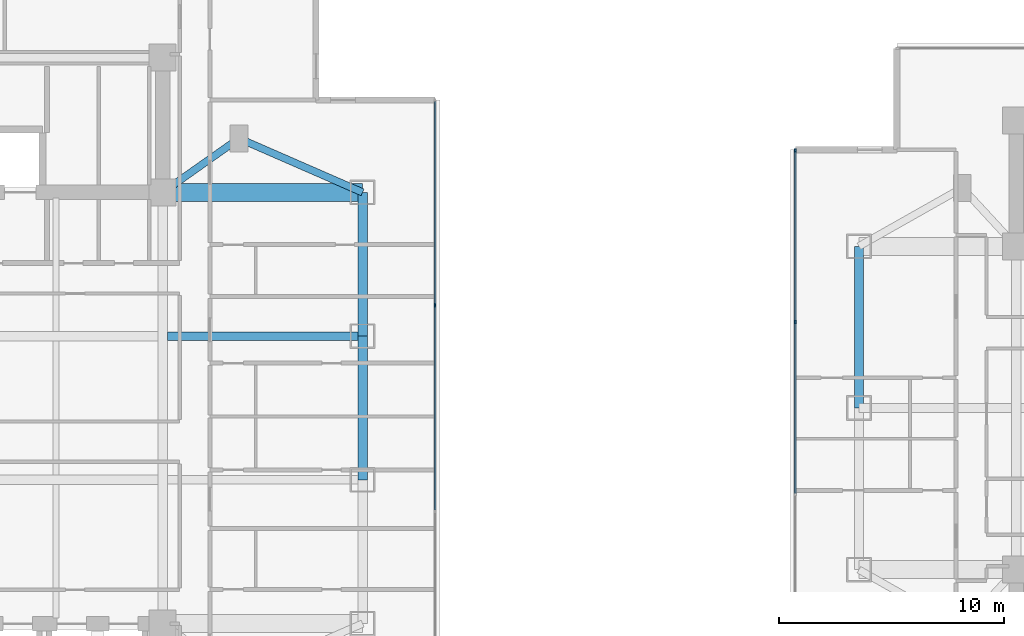
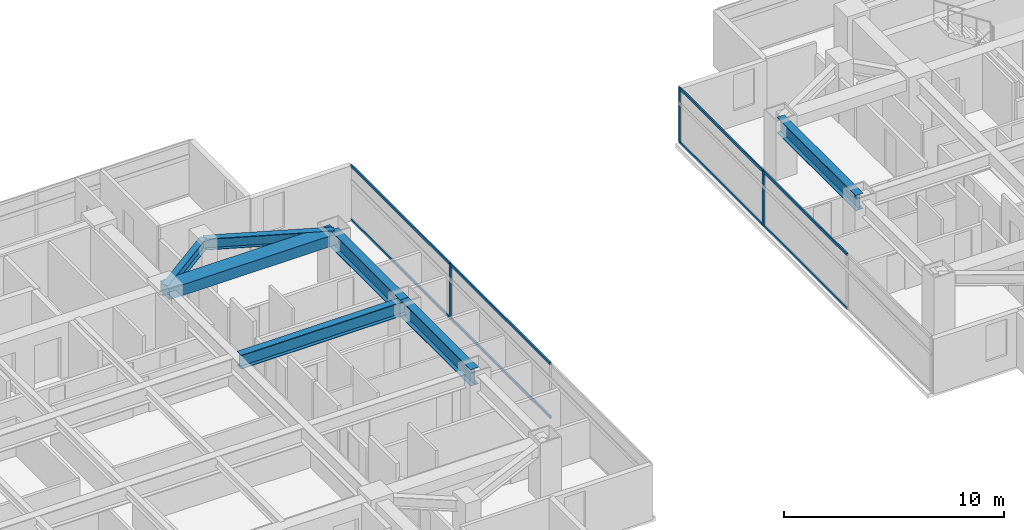
# One storey, part 5 of 25: 11 members, 7 beams, 2 elements without a shape of their own.
"""IFC4 building model written with IfcOpenShell, lengths in metres."""

from ifc_helpers import new_model, si_unit, direction, frame, origin, origin_2d, place, context, subcontext, project, spatial, rectangle, i_section, extrude, material, material_profile, profile_set, type_object, element, aggregate, save


model = new_model("IFC4")

# Units and contexts
model_context = context("Model", 3, precision=1e-05, world=origin(), true_north=direction((0.0, 1.0)))
body_context = subcontext(model_context, "Body", "Model", "MODEL_VIEW")
ifc_project = project(units=[si_unit("LENGTHUNIT", "METRE"), si_unit("AREAUNIT", "SQUARE_METRE"), si_unit("VOLUMEUNIT", "CUBIC_METRE"), si_unit("PLANEANGLEUNIT", "RADIAN"), si_unit("MASSUNIT", "GRAM", prefix="KILO")], contexts=[model_context])

# Site, building, storey
site_placement = place(None, origin())
site = spatial("IfcSite", under=ifc_project, at=site_placement, CompositionType="ELEMENT")
building_placement = place(site_placement, origin())
building = spatial("IfcBuilding", under=site, at=building_placement, Name="Mirazonda Arch Towers", CompositionType="ELEMENT")
storey_placement = place(building_placement, frame((0.0, 0.0, 104.89990234375)))
storey = spatial("IfcBuildingStorey", under=building, at=storey_placement, Name="L29", CompositionType="ELEMENT", Elevation=104.89990234375)

# Beams
ifc_material_1 = material(Name="Steel ASTM A992 Grade 50", Category="steel")
ifc_material_profile_1 = material_profile(ifc_material_1, i_section(OverallWidth=0.39990234375, OverallDepth=0.85595703125, WebThickness=0.018310546875, FlangeThickness=0.029296875, at=origin_2d()), Name="W33X201")
ifc_profile_set_1 = profile_set([ifc_material_profile_1], Name="Steel ASTM A992 Grade 50")
beam_type_1 = type_object("IfcBeamType", Name="BM-EXT-W33X201", PredefinedType="USERDEFINED", material=ifc_profile_set_1)
beam_1_placement = place(storey_placement, frame((61.0, 28.0, 2.652099609375), z_axis=(0.0, 1.0, 0.0), x_axis=(-1.0, 0.0, 0.0)))
element("IfcBeam", 1, at=beam_1_placement, inside=storey, type_object=beam_type_1, Name="L29 Floor Beam BM-T2-L29-NS-W-28", ObjectType="GIRDER", PredefinedType="USERDEFINED", context=body_context, shape_type="SweptSolid", body=[
    extrude(i_section(OverallWidth=0.39990234375, OverallDepth=0.85595703125, WebThickness=0.018310546875, FlangeThickness=0.029296875, at=origin_2d()), origin(), (0.0, 0.0, 1.0), 7.199951171875),
])
ifc_material_profile_2 = material_profile(ifc_material_1, i_section(OverallWidth=0.41796875, OverallDepth=0.927001953125, WebThickness=0.019287109375, FlangeThickness=0.031982421875, at=origin_2d()), Name="W36X231")
ifc_profile_set_2 = profile_set([ifc_material_profile_2], Name="Steel ASTM A992 Grade 50")
beam_type_2 = type_object("IfcBeamType", Name="BM-EXT-W36X231", PredefinedType="USERDEFINED", material=ifc_profile_set_2)
beam_2_placement = place(storey_placement, frame((38.89990234375, 24.800048828125, 2.61669921875), z_axis=(0.0, 1.0, 0.0), x_axis=(-1.0, 0.0, 0.0)))
element("IfcBeam", 2, at=beam_2_placement, inside=storey, type_object=beam_type_2, Name="L29 Floor Beam BM-T1-L29-NS-E-24", ObjectType="GIRDER", PredefinedType="USERDEFINED", context=body_context, shape_type="SweptSolid", body=[
    extrude(i_section(OverallWidth=0.41796875, OverallDepth=0.927001953125, WebThickness=0.019287109375, FlangeThickness=0.031982421875, at=origin_2d()), origin(), (0.0, 0.0, 1.0), 6.39990234375),
])
beam_3_placement = place(storey_placement, frame((38.89990234375, 31.199951171875, 2.61669921875), z_axis=(0.0, 1.0, 0.0), x_axis=(-1.0, 0.0, 0.0)))
element("IfcBeam", 3, at=beam_3_placement, inside=storey, type_object=beam_type_2, Name="L29 Floor Beam BM-T1-L29-NS-E-31", ObjectType="GIRDER", PredefinedType="USERDEFINED", context=body_context, shape_type="SweptSolid", body=[
    extrude(i_section(OverallWidth=0.41796875, OverallDepth=0.927001953125, WebThickness=0.019287109375, FlangeThickness=0.031982421875, at=origin_2d()), origin(), (0.0, 0.0, 1.0), 6.400146484375),
])
ifc_material_profile_3 = material_profile(ifc_material_1, i_section(OverallWidth=0.324951171875, OverallDepth=0.615966796875, WebThickness=0.013916015625, FlangeThickness=0.021484375, at=origin_2d()), Name="W24X117")
ifc_profile_set_3 = profile_set([ifc_material_profile_3], Name="Steel ASTM A992 Grade 50")
beam_type_3 = type_object("IfcBeamType", Name="BM-INT-W24X117", PredefinedType="BEAM", material=ifc_profile_set_3)
beam_4_placement = place(storey_placement, frame((33.39990234375, 40.0, 2.772216796875), z_axis=(-0.816971114901, -0.576678591087, 0.0), x_axis=(0.576678591087, -0.816971114901, 0.0)))
element("IfcBeam", 4, at=beam_4_placement, inside=storey, type_object=beam_type_3, Name="L29 Floor Beam BM-T1-L29-PL-NE1", PredefinedType="BEAM", context=body_context, shape_type="SweptSolid", body=[
    extrude(i_section(OverallWidth=0.324951171875, OverallDepth=0.615966796875, WebThickness=0.013916015625, FlangeThickness=0.021484375, at=origin_2d()), origin(), (0.0, 0.0, 1.0), 4.16162109375),
])
beam_5_placement = place(storey_placement, frame((33.39990234375, 40.0, 2.772216796875), z_axis=(0.916545343703, -0.399930785183, 0.0), x_axis=(0.399930785183, 0.916545343703, 0.0)))
element("IfcBeam", 5, at=beam_5_placement, inside=storey, type_object=beam_type_3, Name="L29 Floor Beam BM-T1-L29-PL-NE2", PredefinedType="BEAM", context=body_context, shape_type="SweptSolid", body=[
    extrude(i_section(OverallWidth=0.324951171875, OverallDepth=0.615966796875, WebThickness=0.013916015625, FlangeThickness=0.021484375, at=origin_2d()), origin(), (0.0, 0.0, 1.0), 6.000732421875),
])
ifc_material_profile_4 = material_profile(ifc_material_1, i_section(OverallWidth=0.381103515625, OverallDepth=0.77294921875, WebThickness=0.0166015625, FlangeThickness=0.027099609375, at=origin_2d()), Name="W30X173")
ifc_profile_set_4 = profile_set([ifc_material_profile_4], Name="Steel ASTM A992 Grade 50")
beam_type_4 = type_object("IfcBeamType", Name="BM-INT-W30X173", PredefinedType="USERDEFINED", material=ifc_profile_set_4)
beam_6_placement = place(storey_placement, frame((30.21142578125, 31.199951171875, 2.693603515625), z_axis=(1.0, 0.0, 0.0), x_axis=(0.0, 1.0, 0.0)))
element("IfcBeam", 6, at=beam_6_placement, inside=storey, type_object=beam_type_4, Name="L29 Floor Beam BM-T1-L29-GE3", ObjectType="GIRDER", PredefinedType="USERDEFINED", context=body_context, shape_type="SweptSolid", body=[
    extrude(i_section(OverallWidth=0.381103515625, OverallDepth=0.77294921875, WebThickness=0.0166015625, FlangeThickness=0.027099609375, at=origin_2d()), origin(), (0.0, 0.0, 1.0), 8.6884765625),
])
ifc_material_2 = material(Name="Concrete C60/75", Category="concrete")
ifc_material_profile_5 = material_profile(ifc_material_2, rectangle(XDim=0.800048828125, YDim=0.60009765625, at=origin_2d()), Name="RCCB800x600")
ifc_profile_set_5 = profile_set([ifc_material_profile_5], Name="Concrete C60/75")
beam_type_5 = type_object("IfcBeamType", Name="CB-INT-RCCB800x600", PredefinedType="SPANDREL", material=ifc_profile_set_5)
beam_7_placement = place(storey_placement, frame((30.0, 37.60009765625, 2.780029296875), z_axis=(1.0, 0.0, 0.0), x_axis=(0.0, 1.0, 0.0)))
element("IfcBeam", 7, at=beam_7_placement, inside=storey, type_object=beam_type_5, Name="L29 Floor Beam CBC-T1-L29-NE", PredefinedType="SPANDREL", context=body_context, shape_type="SweptSolid", body=[
    extrude(rectangle(XDim=0.800048828125, YDim=0.60009765625, at=origin_2d()), origin(), (0.0, 0.0, 1.0), 8.89990234375),
])

# Curtain wall, member
ifc_material_3 = material(Name="Anodised Aluminium and Low-E Glass", Category="aluminium")
curtain_wall_type = type_object("IfcCurtainWallType", Name="CW-HTL-UNIT", PredefinedType="NOTDEFINED", material=ifc_material_3)
curtain_wall_1_placement = place(storey_placement, origin())
curtain_wall_1 = element("IfcCurtainWall", 8, at=curtain_wall_1_placement, inside=storey, type_object=curtain_wall_type, Name="L29 T1 E Facade CW-L29-T1-E", PredefinedType="NOTDEFINED")
ifc_material_4 = material(Name="Anodised Aluminium Alloy", Category="aluminium")
ifc_material_profile_6 = material_profile(ifc_material_4, rectangle(XDim=0.074951171875, YDim=0.1650390625, at=origin_2d()), Name="ALU-MULL-75x165")
ifc_profile_set_6 = profile_set([ifc_material_profile_6], Name="Anodised Aluminium Alloy")
member_type_1 = type_object("IfcMemberType", Name="MULL-CW-HTL-UNIT", PredefinedType="MULLION", material=ifc_profile_set_6)
member_1_placement = place(storey_placement, frame((42.1298828125, 32.57177734375, 0.0), z_axis=(0.0, 0.0, 1.0), x_axis=(-1.0, 0.0, 0.0)))
member_1 = element("IfcMember", 9, at=member_1_placement, type_object=member_type_1, Name="CW-112 mullion 3", PredefinedType="MULLION", context=body_context, shape_type="SweptSolid", body=[
    extrude(rectangle(XDim=0.074951171875, YDim=0.1650390625, at=origin_2d()), origin(), (0.0, 0.0, 1.0), 3.06005859375),
])

# Curtain wall, members
curtain_wall_2_placement = place(storey_placement, origin())
curtain_wall_2 = element("IfcCurtainWall", 10, at=curtain_wall_2_placement, inside=storey, type_object=curtain_wall_type, Name="L29 T2 W Facade CW-L29-T2-W", PredefinedType="NOTDEFINED")
member_2_placement = place(storey_placement, frame((58.16748046875, 39.460205078125, 0.0), z_axis=(0.0, 0.0, 1.0), x_axis=(1.0, 0.0, 0.0)))
member_2 = element("IfcMember", 11, at=member_2_placement, type_object=member_type_1, Name="CW-112 mullion 1", PredefinedType="MULLION", context=body_context, shape_type="SweptSolid", body=[
    extrude(rectangle(XDim=0.074951171875, YDim=0.1650390625, at=origin_2d()), origin(), (0.0, 0.0, 1.0), 3.06005859375),
])
member_3_placement = place(storey_placement, frame((58.16748046875, 31.83251953125, 0.0), z_axis=(0.0, 0.0, 1.0), x_axis=(1.0, 0.0, 0.0)))
member_3 = element("IfcMember", 12, at=member_3_placement, type_object=member_type_1, Name="CW-112 mullion 2", PredefinedType="MULLION", context=body_context, shape_type="SweptSolid", body=[
    extrude(rectangle(XDim=0.074951171875, YDim=0.1650390625, at=origin_2d()), origin(), (0.0, 0.0, 1.0), 3.06005859375),
])

# Member
ifc_material_profile_7 = material_profile(ifc_material_4, rectangle(XDim=0.074951171875, YDim=0.14501953125, at=origin_2d()), Name="ALU-TRAN-75x145")
ifc_profile_set_7 = profile_set([ifc_material_profile_7], Name="Anodised Aluminium Alloy")
member_type_2 = type_object("IfcMemberType", Name="TRAN-CW-HTL-UNIT", PredefinedType="USERDEFINED", material=ifc_profile_set_7)
member_4_placement = place(storey_placement, frame((42.1298828125, 23.4658203125, 0.03759765625), z_axis=(0.0, 1.0, 0.0), x_axis=(-1.0, 0.0, 0.0)))
member_4 = element("IfcMember", 13, at=member_4_placement, type_object=member_type_2, Name="CW-112 transom 2.1", ObjectType="TRANSOM", PredefinedType="USERDEFINED", context=body_context, shape_type="SweptSolid", body=[
    extrude(rectangle(XDim=0.074951171875, YDim=0.14501953125, at=origin_2d()), origin(), (0.0, 0.0, 1.0), 9.068359375),
])

member_5_placement = place(storey_placement, frame((42.1298828125, 23.4658203125, 3.022705078125), z_axis=(0.0, 1.0, 0.0), x_axis=(-1.0, 0.0, 0.0)))
member_5 = element("IfcMember", 14, at=member_5_placement, type_object=member_type_2, Name="CW-112 transom 2.2", ObjectType="TRANSOM", PredefinedType="USERDEFINED", context=body_context, shape_type="SweptSolid", body=[
    extrude(rectangle(XDim=0.074951171875, YDim=0.14501953125, at=origin_2d()), origin(), (0.0, 0.0, 1.0), 9.068359375),
])

member_6_placement = place(storey_placement, frame((42.1298828125, 32.609130859375, 0.03759765625), z_axis=(0.0, 1.0, 0.0), x_axis=(-1.0, 0.0, 0.0)))
member_6 = element("IfcMember", 15, at=member_6_placement, type_object=member_type_2, Name="CW-112 transom 3.1", ObjectType="TRANSOM", PredefinedType="USERDEFINED", context=body_context, shape_type="SweptSolid", body=[
    extrude(rectangle(XDim=0.074951171875, YDim=0.14501953125, at=origin_2d()), origin(), (0.0, 0.0, 1.0), 9.03076171875),
])

member_7_placement = place(storey_placement, frame((42.1298828125, 32.609130859375, 3.022705078125), z_axis=(0.0, 1.0, 0.0), x_axis=(-1.0, 0.0, 0.0)))
member_7 = element("IfcMember", 16, at=member_7_placement, type_object=member_type_2, Name="CW-112 transom 3.2", ObjectType="TRANSOM", PredefinedType="USERDEFINED", context=body_context, shape_type="SweptSolid", body=[
    extrude(rectangle(XDim=0.074951171875, YDim=0.14501953125, at=origin_2d()), origin(), (0.0, 0.0, 1.0), 9.03076171875),
])

aggregate(curtain_wall_1, [member_1, member_4, member_5, member_6, member_7])

member_8_placement = place(storey_placement, frame((58.16748046875, 39.422607421875, 0.03759765625), z_axis=(0.0, -1.0, 0.0), x_axis=(1.0, 0.0, 0.0)))
member_8 = element("IfcMember", 17, at=member_8_placement, type_object=member_type_2, Name="CW-112 transom 1.1", ObjectType="TRANSOM", PredefinedType="USERDEFINED", context=body_context, shape_type="SweptSolid", body=[
    extrude(rectangle(XDim=0.074951171875, YDim=0.14501953125, at=origin_2d()), origin(), (0.0, 0.0, 1.0), 7.552490234375),
])

member_9_placement = place(storey_placement, frame((58.16748046875, 39.422607421875, 3.022705078125), z_axis=(0.0, -1.0, 0.0), x_axis=(1.0, 0.0, 0.0)))
member_9 = element("IfcMember", 18, at=member_9_placement, type_object=member_type_2, Name="CW-112 transom 1.2", ObjectType="TRANSOM", PredefinedType="USERDEFINED", context=body_context, shape_type="SweptSolid", body=[
    extrude(rectangle(XDim=0.074951171875, YDim=0.14501953125, at=origin_2d()), origin(), (0.0, 0.0, 1.0), 7.552490234375),
])

member_10_placement = place(storey_placement, frame((58.16748046875, 31.795166015625, 0.03759765625), z_axis=(0.0, -1.0, 0.0), x_axis=(1.0, 0.0, 0.0)))
member_10 = element("IfcMember", 19, at=member_10_placement, type_object=member_type_2, Name="CW-112 transom 2.1", ObjectType="TRANSOM", PredefinedType="USERDEFINED", context=body_context, shape_type="SweptSolid", body=[
    extrude(rectangle(XDim=0.074951171875, YDim=0.14501953125, at=origin_2d()), origin(), (0.0, 0.0, 1.0), 7.59033203125),
])

member_11_placement = place(storey_placement, frame((58.16748046875, 31.795166015625, 3.022705078125), z_axis=(0.0, -1.0, 0.0), x_axis=(1.0, 0.0, 0.0)))
member_11 = element("IfcMember", 20, at=member_11_placement, type_object=member_type_2, Name="CW-112 transom 2.2", ObjectType="TRANSOM", PredefinedType="USERDEFINED", context=body_context, shape_type="SweptSolid", body=[
    extrude(rectangle(XDim=0.074951171875, YDim=0.14501953125, at=origin_2d()), origin(), (0.0, 0.0, 1.0), 7.59033203125),
])

aggregate(curtain_wall_2, [member_2, member_3, member_8, member_9, member_10, member_11])

save(model, "model.ifc")
